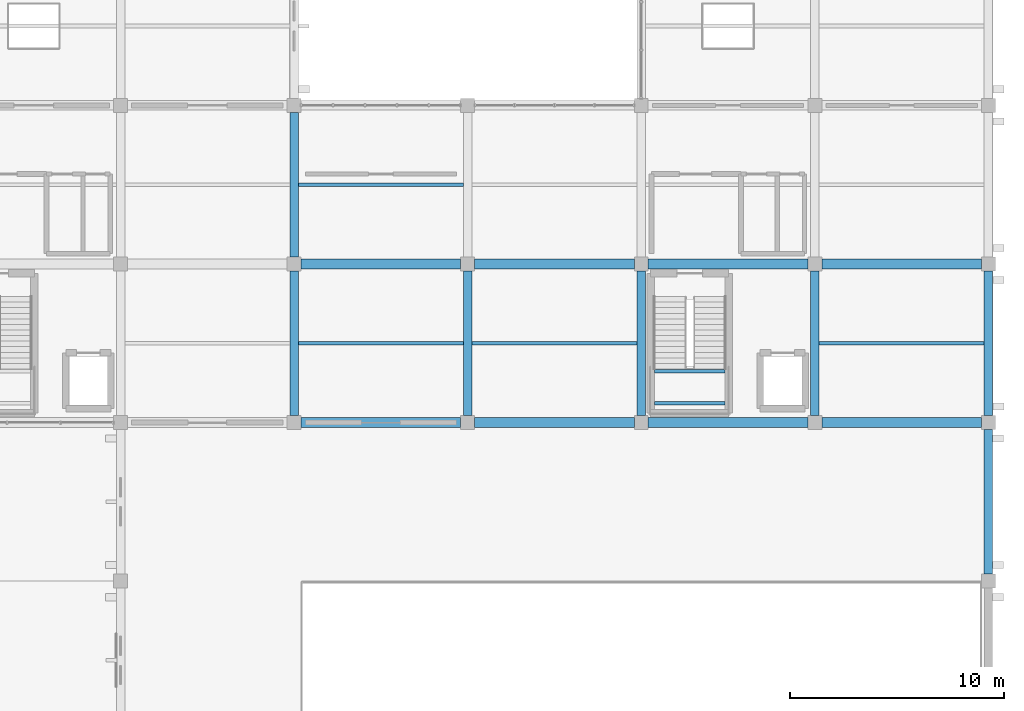
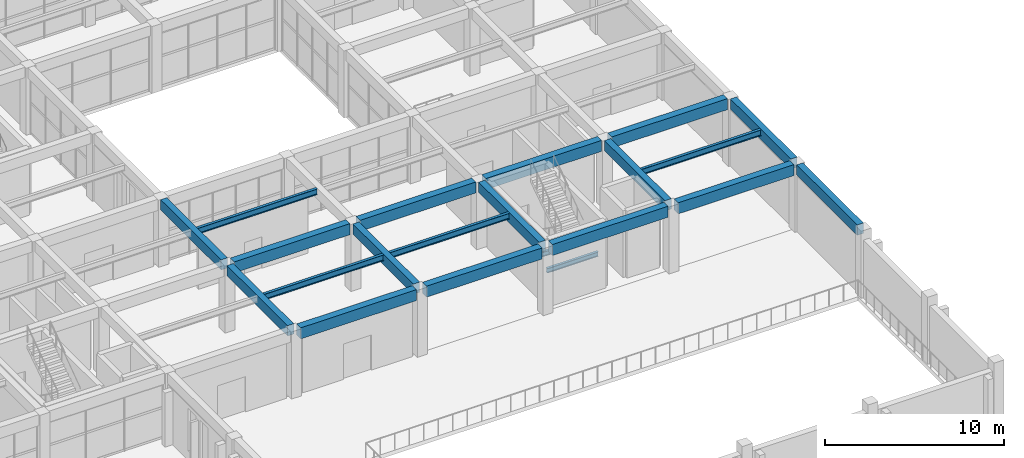
# One storey, part 105 of 161: 21 beams.
"""IFC4 building model written with IfcOpenShell, lengths in metres."""

import ifcopenshell
import ifcopenshell.guid

model = None  # the IFC model being written
_history = None  # IfcOwnerHistory: only IFC2X3 demands one
_inside = {}  # id of a spatial element -> (the spatial element, [elements in it])
_under = {}  # id of a project, library or spatial element -> (it, [spatial elements below it])
_declared = {}  # id of a project -> (the project, [libraries it declares])
_typed = {}  # id of a type object -> (the type object, [elements of that type])
_made_of = {}  # id of a material, layer set ... -> (it, [elements and type objects made of it])


def new_model(schema):
    """Start an empty IFC model of exactly this schema.

    Asked for "IFC4X3", IfcOpenShell would pick the latest addendum, in which some entities
    have other attributes; the version numbers below select the first issue.
    IFC2X3 requires an IfcOwnerHistory on every rooted entity: one is made here for all.
    """
    global model, _history
    if schema == "IFC4X3":
        model = ifcopenshell.file(schema_version=(4, 3, 0, 0))
    else:
        model = ifcopenshell.file(schema=schema)
    _inside.clear()
    _under.clear()
    _declared.clear()
    _typed.clear()
    _made_of.clear()
    _history = None
    if model.schema == "IFC2X3":
        org = make("IfcOrganization", Name="unknown")
        user = make(
            "IfcPersonAndOrganization",
            ThePerson=make("IfcPerson", FamilyName="unknown"),
            TheOrganization=org,
        )
        app = make(
            "IfcApplication",
            ApplicationDeveloper=org,
            Version="unknown",
            ApplicationFullName="unknown",
            ApplicationIdentifier="unknown",
        )
        _history = make(
            "IfcOwnerHistory",
            OwningUser=user,
            OwningApplication=app,
            ChangeAction="ADDED",
            CreationDate=0,
        )
    return model


def make(cls, **values):
    """One entity of the class cls with the attributes given. An attribute that is None is left unset."""
    return model.create_entity(
        cls, **{name: value for name, value in values.items() if value is not None}
    )


def rooted(cls, **values):
    """An entity with a GlobalId (a new one), such as an element, a storey or a relation."""
    return make(cls, GlobalId=ifcopenshell.guid.new(), OwnerHistory=_history, **values)


def si_unit(unit_type, name, prefix=None):
    """IfcSIUnit, for example si_unit("LENGTHUNIT", "METRE", prefix="MILLI")."""
    return make("IfcSIUnit", UnitType=unit_type, Prefix=prefix, Name=name)


def assignment(units):
    """IfcUnitAssignment: the units of a project."""
    return None if units is None else make("IfcUnitAssignment", Units=units)


def point(xyz):
    """IfcCartesianPoint."""
    return None if xyz is None else make("IfcCartesianPoint", Coordinates=xyz)


def direction(xyz):
    """IfcDirection."""
    return None if xyz is None else make("IfcDirection", DirectionRatios=xyz)


def frame(location, z_axis=None, x_axis=None):
    """IfcAxis2Placement3D, a coordinate frame: its origin and axes. An axis left out is left unset."""
    return make(
        "IfcAxis2Placement3D",
        Location=point(location),
        Axis=direction(z_axis),
        RefDirection=direction(x_axis),
    )


def frame_2d(location, x_axis=None):
    """IfcAxis2Placement2D, a coordinate frame in the plane: its origin and x axis."""
    return make(
        "IfcAxis2Placement2D", Location=point(location), RefDirection=direction(x_axis)
    )


def origin():
    """The frame at (0, 0, 0) with its axes left unset."""
    return frame((0.0, 0.0, 0.0))


def origin_2d():
    """The frame at (0, 0) in the plane with its x axis left unset."""
    return frame_2d((0.0, 0.0))


def place(relative_to, where):
    """IfcLocalPlacement: puts the frame where relative to a parent placement (None: the world)."""
    return make(
        "IfcLocalPlacement", PlacementRelTo=relative_to, RelativePlacement=where
    )


def context(
    kind, dimensions, precision=None, world=None, true_north=None, identifier=None
):
    """IfcGeometricRepresentationContext, for example the 3D "Model" context."""
    return make(
        "IfcGeometricRepresentationContext",
        ContextIdentifier=identifier,
        ContextType=kind,
        CoordinateSpaceDimension=dimensions,
        Precision=precision,
        WorldCoordinateSystem=world,
        TrueNorth=true_north,
    )


def subcontext(parent, identifier, kind, view, scale=None):
    """IfcGeometricRepresentationSubContext, for example "Body" below "Model"."""
    return make(
        "IfcGeometricRepresentationSubContext",
        ContextIdentifier=identifier,
        ContextType=kind,
        ParentContext=parent,
        TargetScale=scale,
        TargetView=view,
    )


def project(units=None, contexts=None):
    """IfcProject with its units and contexts."""
    return rooted(
        "IfcProject",
        Name="project",
        RepresentationContexts=contexts,
        UnitsInContext=assignment(units),
    )


def spatial(cls, under=None, at=None, **own):
    """A site, building, storey or space (cls), placed at a placement, below another one or the project."""
    s = rooted(cls, ObjectPlacement=at, **own)
    if under is not None:
        _under.setdefault(under.id(), (under, []))[1].append(s)
    return s


def profile(cls, at=None, kind="AREA", **sizes):
    """A parametric profile (cls). Its sizes go by their IFC names, for example OverallWidth=200.0."""
    return make(cls, ProfileType=kind, Position=at, **sizes)


def rectangle(**sizes):
    """IfcRectangleProfileDef."""
    return profile("IfcRectangleProfileDef", **sizes)


def i_section(**sizes):
    """IfcIShapeProfileDef."""
    return profile("IfcIShapeProfileDef", **sizes)


def extrude(swept, where, along, depth):
    """IfcExtrudedAreaSolid: the profile swept, set in the frame where, extruded along a direction by depth."""
    return make(
        "IfcExtrudedAreaSolid",
        SweptArea=swept,
        Position=where,
        ExtrudedDirection=direction(along),
        Depth=depth,
    )


def shape(context_of_items, identifier, shape_type, items):
    """IfcShapeRepresentation: the items that make up one representation, for example the "Body"."""
    return make(
        "IfcShapeRepresentation",
        ContextOfItems=context_of_items,
        RepresentationIdentifier=identifier,
        RepresentationType=shape_type,
        Items=items,
    )


def material(Name=None, Category=None):
    """IfcMaterial."""
    return make("IfcMaterial", Name=Name, Category=Category)


def material_profile(
    of_material, cross_section, Name=None, Category=None, Priority=None
):
    """IfcMaterialProfile: a cross section and its material."""
    return make(
        "IfcMaterialProfile",
        Name=Name,
        Material=of_material,
        Profile=cross_section,
        Priority=Priority,
        Category=Category,
    )


def profile_set(profiles, Name=None, composite=None):
    """IfcMaterialProfileSet."""
    return make(
        "IfcMaterialProfileSet",
        Name=Name,
        MaterialProfiles=profiles,
        CompositeProfile=composite,
    )


def made_of(thing, what):
    """Note that an element or type object is made of a material, layer set ...; save() writes the relation."""
    if what is not None:
        _made_of.setdefault(what.id(), (what, []))[1].append(thing)
    return thing


def type_object(cls, material=None, **own):
    """A type object (cls), such as IfcWallType, which elements share."""
    return made_of(rooted(cls, **own), material)


def element(
    cls,
    number,
    at=None,
    inside=None,
    cuts=None,
    type_object=None,
    material=None,
    context=None,
    identifier="Body",
    shape_type=None,
    held_by="IfcProductDefinitionShape",
    body=None,
    shapes=None,
    **own,
):
    """One element of the class cls, such as IfcWall. Its Tag is "e" and its number.

    at: its placement. inside: the storey or other place that contains it. cuts: it is an
    opening in that element (IfcRelVoidsElement). A single representation is given by context,
    identifier, shape_type and body (its items); several are given by shapes. held_by: the class
    of the entity that holds the representations. save() writes the other relations.
    """
    e = rooted(cls, Tag="e%d" % number, ObjectPlacement=at, **own)
    if body is not None:
        shapes = [shape(context, identifier, shape_type, body)]
    if shapes is not None:
        e.Representation = make(held_by, Representations=shapes)
    if inside is not None:
        _inside.setdefault(inside.id(), (inside, []))[1].append(e)
    if cuts is not None:
        rooted(
            "IfcRelVoidsElement", RelatingBuildingElement=cuts, RelatedOpeningElement=e
        )
    if type_object is not None:
        _typed.setdefault(type_object.id(), (type_object, []))[1].append(e)
    return made_of(e, material)


def aggregate(whole, parts):
    """IfcRelAggregates: a whole, such as a stair, and the parts it consists of."""
    return rooted("IfcRelAggregates", RelatingObject=whole, RelatedObjects=parts)


def save(model, path):
    """Write the relations noted so far, then the file.

    IfcRelAggregates (storeys below a building ...), IfcRelContainedInSpatialStructure (elements
    in a storey), IfcRelDefinesByType, IfcRelAssociatesMaterial and IfcRelDeclares: one each for
    every whole, place, type object, material and project.
    """
    for whole, parts in _under.values():
        aggregate(whole, parts)
    for where, things in _inside.values():
        rooted(
            "IfcRelContainedInSpatialStructure",
            RelatedElements=things,
            RelatingStructure=where,
        )
    for kind, things in _typed.values():
        rooted("IfcRelDefinesByType", RelatedObjects=things, RelatingType=kind)
    for what, things in _made_of.values():
        rooted("IfcRelAssociatesMaterial", RelatedObjects=things, RelatingMaterial=what)
    for by, libraries in _declared.values():
        rooted("IfcRelDeclares", RelatingContext=by, RelatedDefinitions=libraries)
    model.write(path)


model = new_model("IFC4")

# Units and contexts
model_context = context("Model", 3, precision=1e-05, world=origin(), true_north=direction((0.0, 1.0)))
body_context = subcontext(model_context, "Body", "Model", "MODEL_VIEW")
ifc_project = project(units=[si_unit("LENGTHUNIT", "METRE"), si_unit("AREAUNIT", "SQUARE_METRE"), si_unit("VOLUMEUNIT", "CUBIC_METRE"), si_unit("PLANEANGLEUNIT", "RADIAN"), si_unit("MASSUNIT", "GRAM", prefix="KILO")], contexts=[model_context])

# Site, building, storey
site_placement = place(None, origin())
site = spatial("IfcSite", under=ifc_project, at=site_placement, CompositionType="ELEMENT")
building_placement = place(site_placement, origin())
building = spatial("IfcBuilding", under=site, at=building_placement, Name="Cimatlan Art Gallery", CompositionType="ELEMENT")
storey_placement = place(building_placement, frame((0.0, 0.0, 5.39990234375)))
storey = spatial("IfcBuildingStorey", under=building, at=storey_placement, Name="L01", CompositionType="ELEMENT", Elevation=5.39990234375)

# Beams
ifc_material_1 = material(Name="Concrete C40/50", Category="concrete")
ifc_material_profile_1 = material_profile(ifc_material_1, rectangle(XDim=0.39990234375, YDim=0.699951171875, at=origin_2d()), Name="RC400X700")
ifc_profile_set_1 = profile_set([ifc_material_profile_1], Name="Concrete C40/50")
beam_type_1 = type_object("IfcBeamType", Name="BM-RC-400X700", PredefinedType="BEAM", material=ifc_profile_set_1)
for number, where, z_axis, x_axis, name in (
    (1, (131.60009765625, 24.22509765625, 4.210205078125), (0.0, 1.0, 0.0), (-1.0, 0.0, 0.0), "BM-Y-L01-16-03"),
    (2, (131.60009765625, 31.625, 4.210205078125), (0.0, 1.0, 0.0), (-1.0, 0.0, 0.0), "BM-Y-L01-16-04"),
    (3, (139.699951171875, 24.22509765625, 4.210205078125), (0.0, 1.0, 0.0), (-1.0, 0.0, 0.0), "BM-Y-L01-17-03"),
    (4, (147.800048828125, 24.22509765625, 4.210205078125), (0.0, 1.0, 0.0), (-1.0, 0.0, 0.0), "BM-Y-L01-18-03"),
    (5, (155.89990234375, 24.22509765625, 4.210205078125), (0.0, 1.0, 0.0), (-1.0, 0.0, 0.0), "BM-Y-L01-19-03"),
    (6, (164.0, 16.824951171875, 4.210205078125), (0.0, 1.0, 0.0), (-1.0, 0.0, 0.0), "BM-Y-L01-20-02"),
    (7, (164.0, 24.22509765625, 4.210205078125), (0.0, 1.0, 0.0), (-1.0, 0.0, 0.0), "BM-Y-L01-20-03"),
):
    element("IfcBeam", number, at=place(storey_placement, frame(where, z_axis=z_axis, x_axis=x_axis)), inside=storey, type_object=beam_type_1, Name=name, PredefinedType="BEAM", context=body_context, shape_type="SweptSolid", body=[
        extrude(rectangle(XDim=0.39990234375, YDim=0.699951171875, at=origin_2d()), origin(), (0.0, 0.0, 1.0), 6.75),
    ])
ifc_material_profile_2 = material_profile(ifc_material_1, rectangle(XDim=0.449951171875, YDim=0.75, at=origin_2d()), Name="RC450X750")
ifc_profile_set_2 = profile_set([ifc_material_profile_2], Name="Concrete C40/50")
beam_type_2 = type_object("IfcBeamType", Name="BM-RC-450X750", PredefinedType="BEAM", material=ifc_profile_set_2)
for number, where, z_axis, x_axis, name in (
    (8, (131.925048828125, 23.89990234375, 4.18505859375), (1.0, 0.0, 0.0), (0.0, 1.0, 0.0), "BM-X-L01-16-03"),
    (9, (131.925048828125, 31.300048828125, 4.18505859375), (1.0, 0.0, 0.0), (0.0, 1.0, 0.0), "BM-X-L01-16-04"),
):
    element("IfcBeam", number, at=place(storey_placement, frame(where, z_axis=z_axis, x_axis=x_axis)), inside=storey, type_object=beam_type_2, Name=name, PredefinedType="BEAM", context=body_context, shape_type="SweptSolid", body=[
        extrude(rectangle(XDim=0.449951171875, YDim=0.75, at=origin_2d()), origin(), (0.0, 0.0, 1.0), 7.449951171875),
    ])
for number, where, z_axis, x_axis, name in (
    (10, (140.02490234375, 23.89990234375, 4.18505859375), (1.0, 0.0, 0.0), (0.0, 1.0, 0.0), "BM-X-L01-17-03"),
    (11, (140.02490234375, 31.300048828125, 4.18505859375), (1.0, 0.0, 0.0), (0.0, 1.0, 0.0), "BM-X-L01-17-04"),
):
    element("IfcBeam", number, at=place(storey_placement, frame(where, z_axis=z_axis, x_axis=x_axis)), inside=storey, type_object=beam_type_2, Name=name, PredefinedType="BEAM", context=body_context, shape_type="SweptSolid", body=[
        extrude(rectangle(XDim=0.449951171875, YDim=0.75, at=origin_2d()), origin(), (0.0, 0.0, 1.0), 7.4501953125),
    ])
for number, where, z_axis, x_axis, name in (
    (12, (148.125, 23.89990234375, 4.18505859375), (1.0, 0.0, 0.0), (0.0, 1.0, 0.0), "BM-X-L01-18-03"),
    (13, (148.125, 31.300048828125, 4.18505859375), (1.0, 0.0, 0.0), (0.0, 1.0, 0.0), "BM-X-L01-18-04"),
    (14, (156.22509765625, 23.89990234375, 4.18505859375), (1.0, 0.0, 0.0), (0.0, 1.0, 0.0), "BM-X-L01-19-03"),
    (15, (156.22509765625, 31.300048828125, 4.18505859375), (1.0, 0.0, 0.0), (0.0, 1.0, 0.0), "BM-X-L01-19-04"),
):
    element("IfcBeam", number, at=place(storey_placement, frame(where, z_axis=z_axis, x_axis=x_axis)), inside=storey, type_object=beam_type_2, Name=name, PredefinedType="BEAM", context=body_context, shape_type="SweptSolid", body=[
        extrude(rectangle(XDim=0.449951171875, YDim=0.75, at=origin_2d()), origin(), (0.0, 0.0, 1.0), 7.449951171875),
    ])
ifc_material_2 = material(Name="Steel ASTM A992 Grade 50", Category="steel")
ifc_material_profile_3 = material_profile(ifc_material_2, i_section(OverallWidth=0.1650390625, OverallDepth=0.31005859375, WebThickness=0.005859375, FlangeThickness=0.009765625, at=origin_2d()), Name="W12X26")
ifc_profile_set_3 = profile_set([ifc_material_profile_3], Name="Steel ASTM A992 Grade 50")
beam_type_3 = type_object("IfcBeamType", Name="BM-STL-W12X26", PredefinedType="JOIST", material=ifc_profile_set_3)
for number, where, z_axis, x_axis, name in (
    (16, (148.4150390625, 24.800048828125, 2.025146484375), (1.0, 0.0, 0.0), (0.0, 1.0, 0.0), "BM-STR-C5-L01-LH1"),
    (17, (148.4150390625, 26.300048828125, 2.025146484375), (1.0, 0.0, 0.0), (0.0, 1.0, 0.0), "BM-STR-C5-L01-LH2"),
):
    element("IfcBeam", number, at=place(storey_placement, frame(where, z_axis=z_axis, x_axis=x_axis)), inside=storey, type_object=beam_type_3, Name=name, PredefinedType="JOIST", context=body_context, shape_type="SweptSolid", body=[
        extrude(i_section(OverallWidth=0.1650390625, OverallDepth=0.31005859375, WebThickness=0.005859375, FlangeThickness=0.009765625, at=origin_2d()), origin(), (0.0, 0.0, 1.0), 3.2900390625),
    ])
ifc_material_profile_4 = material_profile(ifc_material_2, i_section(OverallWidth=0.177978515625, OverallDepth=0.406982421875, WebThickness=0.0078125, FlangeThickness=0.0126953125, at=origin_2d()), Name="W16X40")
ifc_profile_set_4 = profile_set([ifc_material_profile_4], Name="Steel ASTM A992 Grade 50")
beam_type_4 = type_object("IfcBeamType", Name="BM-STL-W16X40", PredefinedType="JOIST", material=ifc_profile_set_4)
for number, where, z_axis, x_axis, name in (
    (18, (131.800048828125, 27.60009765625, 4.356689453125), (1.0, 0.0, 0.0), (0.0, 1.0, 0.0), "JST-L01-16-03"),
    (19, (131.800048828125, 35.0, 4.356689453125), (1.0, 0.0, 0.0), (0.0, 1.0, 0.0), "JST-L01-16-04"),
):
    element("IfcBeam", number, at=place(storey_placement, frame(where, z_axis=z_axis, x_axis=x_axis)), inside=storey, type_object=beam_type_4, Name=name, PredefinedType="JOIST", context=body_context, shape_type="SweptSolid", body=[
        extrude(i_section(OverallWidth=0.177978515625, OverallDepth=0.406982421875, WebThickness=0.0078125, FlangeThickness=0.0126953125, at=origin_2d()), origin(), (0.0, 0.0, 1.0), 7.699951171875),
    ])
beam_1_placement = place(storey_placement, frame((139.89990234375, 27.60009765625, 4.356689453125), z_axis=(1.0, 0.0, 0.0), x_axis=(0.0, 1.0, 0.0)))
element("IfcBeam", 20, at=beam_1_placement, inside=storey, type_object=beam_type_4, Name="JST-L01-17-03", PredefinedType="JOIST", context=body_context, shape_type="SweptSolid", body=[
    extrude(i_section(OverallWidth=0.177978515625, OverallDepth=0.406982421875, WebThickness=0.0078125, FlangeThickness=0.0126953125, at=origin_2d()), origin(), (0.0, 0.0, 1.0), 7.7001953125),
])
beam_2_placement = place(storey_placement, frame((156.10009765625, 27.60009765625, 4.356689453125), z_axis=(1.0, 0.0, 0.0), x_axis=(0.0, 1.0, 0.0)))
element("IfcBeam", 21, at=beam_2_placement, inside=storey, type_object=beam_type_4, Name="JST-L01-19-03", PredefinedType="JOIST", context=body_context, shape_type="SweptSolid", body=[
    extrude(i_section(OverallWidth=0.177978515625, OverallDepth=0.406982421875, WebThickness=0.0078125, FlangeThickness=0.0126953125, at=origin_2d()), origin(), (0.0, 0.0, 1.0), 7.699951171875),
])

save(model, "model.ifc")
